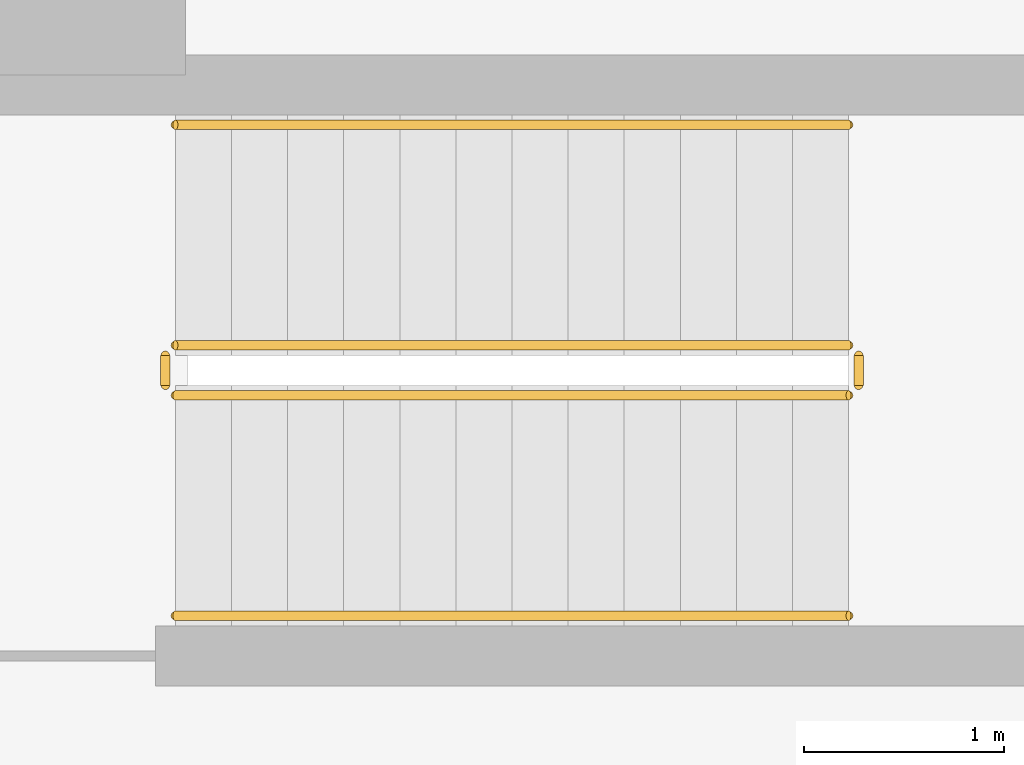
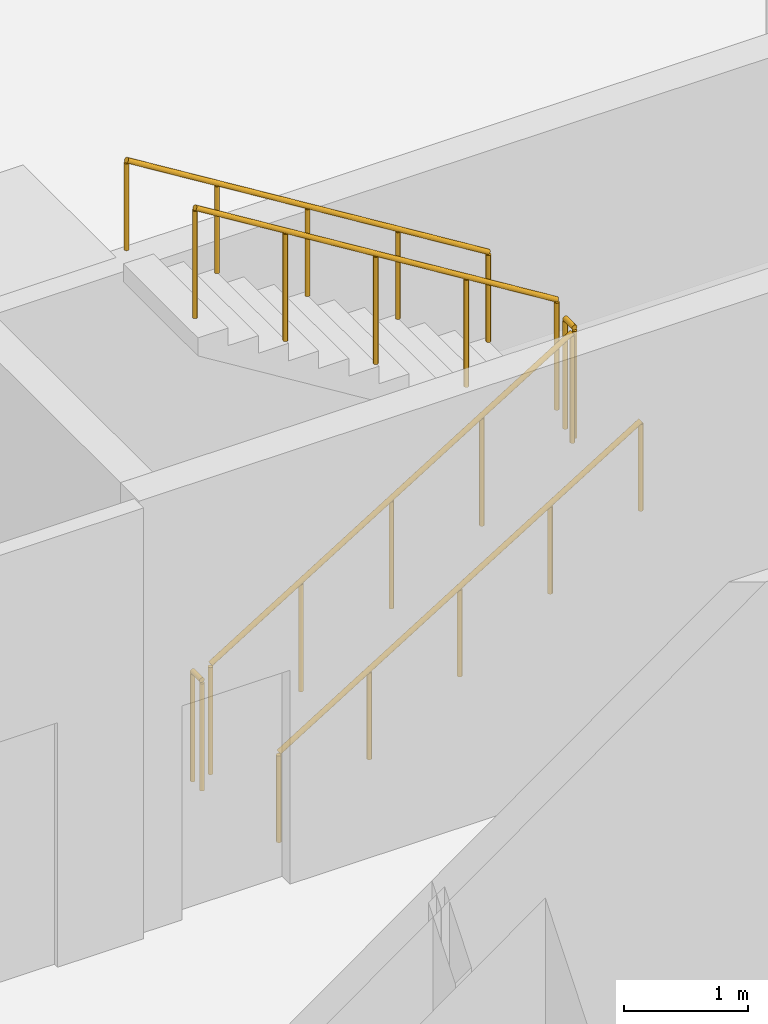
# One storey, part 17 of 18: 6 railings.
"""IFC4 building model written with IfcOpenShell, lengths in metres."""

from ifc_helpers import new_model, si_unit, direction, frame, origin, origin_2d, place, context, subcontext, project, spatial, circle, extrude, material, type_object, element, save


model = new_model("IFC4")

# Units and contexts
model_context = context("Model", 3, precision=1e-05, world=origin(), true_north=direction((0.0, 1.0)))
body_context = subcontext(model_context, "Body", "Model", "MODEL_VIEW")
ifc_project = project(units=[si_unit("LENGTHUNIT", "METRE"), si_unit("AREAUNIT", "SQUARE_METRE"), si_unit("VOLUMEUNIT", "CUBIC_METRE"), si_unit("PLANEANGLEUNIT", "RADIAN"), si_unit("MASSUNIT", "GRAM", prefix="KILO")], contexts=[model_context])

# Site, building, storey
site_placement = place(None, origin())
site = spatial("IfcSite", under=ifc_project, at=site_placement, CompositionType="ELEMENT")
building_placement = place(site_placement, origin())
building = spatial("IfcBuilding", under=site, at=building_placement, Name="Brevane Broadcast Tower", CompositionType="ELEMENT")
storey_placement = place(building_placement, frame((0.0, 0.0, 27.5)))
storey = spatial("IfcBuildingStorey", under=building, at=storey_placement, Name="L04", CompositionType="ELEMENT", Elevation=27.5)

# Railings
ifc_material = material(Name="Steel S355", Category="steel")
railing_type_1 = type_object("IfcRailingType", Name="Exit stair guard", PredefinedType="GUARDRAIL", material=ifc_material)
railing_1_placement = place(storey_placement, frame((42.699951171875, 14.449951171875, 0.173095703125)))
element("IfcRailing", 1, at=railing_1_placement, inside=storey, type_object=railing_type_1, Name="L04 ST-4 stair guard 1", PredefinedType="GUARDRAIL", context=body_context, shape_type="SweptSolid", body=[
    extrude(circle(Radius=0.02392578125, at=origin_2d()), frame((0.0, 0.0, 1.076171875), z_axis=(0.850623216509, 0.0, 0.525775754039), x_axis=(0.0, 1.0, 0.0)), (0.0, 0.0, 1.0), 3.9501953125),
    extrude(circle(Radius=0.02099609375, at=origin_2d()), origin(), (0.0, 0.0, 1.0), 1.052001953125),
    extrude(circle(Radius=0.02099609375, at=origin_2d()), frame((0.840087890625, 0.0, 0.519287109375)), (0.0, 0.0, 1.0), 1.052001953125),
    extrude(circle(Radius=0.02099609375, at=origin_2d()), frame((1.68017578125, 0.0, 1.03857421875)), (0.0, 0.0, 1.0), 1.052001953125),
    extrude(circle(Radius=0.02099609375, at=origin_2d()), frame((2.52001953125, 0.0, 1.5576171875)), (0.0, 0.0, 1.0), 1.052001953125),
    extrude(circle(Radius=0.02099609375, at=origin_2d()), frame((3.360107421875, 0.0, 2.076904296875)), (0.0, 0.0, 1.0), 1.052001953125),
])
railing_2_placement = place(storey_placement, frame((46.110107421875, 14.5, 2.25)))
element("IfcRailing", 2, at=railing_2_placement, inside=storey, type_object=railing_type_1, Name="L04 ST-4 stair guard 2", PredefinedType="GUARDRAIL", context=body_context, shape_type="SweptSolid", body=[
    extrude(circle(Radius=0.02392578125, at=origin_2d()), frame((0.0, 0.0, 1.076171875), z_axis=(0.0, 1.0, 0.0), x_axis=(-1.0, 0.0, 0.0)), (0.0, 0.0, 1.0), 0.14990234375),
    extrude(circle(Radius=0.02099609375, at=origin_2d()), origin(), (0.0, 0.0, 1.0), 1.052001953125),
    extrude(circle(Radius=0.02099609375, at=origin_2d()), frame((0.0, 0.14990234375, 0.0)), (0.0, 0.0, 1.0), 1.052001953125),
])
railing_3_placement = place(storey_placement, frame((46.06005859375, 14.699951171875, 2.423095703125)))
element("IfcRailing", 3, at=railing_3_placement, inside=storey, type_object=railing_type_1, Name="L04 ST-4 stair guard 3", PredefinedType="GUARDRAIL", context=body_context, shape_type="SweptSolid", body=[
    extrude(circle(Radius=0.02392578125, at=origin_2d()), frame((0.0, 0.0, 1.076171875), z_axis=(-0.850623216509, 0.0, 0.525775754039), x_axis=(0.0, -1.0, 0.0)), (0.0, 0.0, 1.0), 3.9501953125),
    extrude(circle(Radius=0.02099609375, at=origin_2d()), origin(), (0.0, 0.0, 1.0), 1.052001953125),
    extrude(circle(Radius=0.02099609375, at=origin_2d()), frame((-0.840087890625, 0.0, 0.519287109375)), (0.0, 0.0, 1.0), 1.052001953125),
    extrude(circle(Radius=0.02099609375, at=origin_2d()), frame((-1.68017578125, 0.0, 1.03857421875)), (0.0, 0.0, 1.0), 1.052001953125),
    extrude(circle(Radius=0.02099609375, at=origin_2d()), frame((-2.52001953125, 0.0, 1.5576171875)), (0.0, 0.0, 1.0), 1.052001953125),
    extrude(circle(Radius=0.02099609375, at=origin_2d()), frame((-3.360107421875, 0.0, 2.076904296875)), (0.0, 0.0, 1.0), 1.052001953125),
])
railing_4_placement = place(storey_placement, frame((42.64990234375, 14.5, 0.0)))
element("IfcRailing", 4, at=railing_4_placement, inside=storey, type_object=railing_type_1, Name="L04 ST-4 stair guard 4", PredefinedType="GUARDRAIL", context=body_context, shape_type="SweptSolid", body=[
    extrude(circle(Radius=0.02392578125, at=origin_2d()), frame((0.0, 0.0, 1.076171875), z_axis=(0.0, 1.0, 0.0), x_axis=(-1.0, 0.0, 0.0)), (0.0, 0.0, 1.0), 0.14990234375),
    extrude(circle(Radius=0.02099609375, at=origin_2d()), origin(), (0.0, 0.0, 1.0), 1.052001953125),
    extrude(circle(Radius=0.02099609375, at=origin_2d()), frame((0.0, 0.14990234375, 0.0)), (0.0, 0.0, 1.0), 1.052001953125),
])
railing_type_2 = type_object("IfcRailingType", Name="Exit stair handrail", PredefinedType="HANDRAIL", material=ifc_material)
railing_5_placement = place(storey_placement, frame((42.699951171875, 13.35009765625, 0.173095703125)))
element("IfcRailing", 5, at=railing_5_placement, inside=storey, type_object=railing_type_2, Name="L04 ST-4 stair handrail 1", PredefinedType="HANDRAIL", context=body_context, shape_type="SweptSolid", body=[
    extrude(circle(Radius=0.02392578125, at=origin_2d()), frame((0.0, 0.0, 0.8759765625), z_axis=(0.850623216509, 0.0, 0.525775754039), x_axis=(0.0, 1.0, 0.0)), (0.0, 0.0, 1.0), 3.9501953125),
    extrude(circle(Radius=0.02099609375, at=origin_2d()), origin(), (0.0, 0.0, 1.0), 0.851806640625),
    extrude(circle(Radius=0.02099609375, at=origin_2d()), frame((0.840087890625, 0.0, 0.519287109375)), (0.0, 0.0, 1.0), 0.851806640625),
    extrude(circle(Radius=0.02099609375, at=origin_2d()), frame((1.68017578125, 0.0, 1.03857421875)), (0.0, 0.0, 1.0), 0.851806640625),
    extrude(circle(Radius=0.02099609375, at=origin_2d()), frame((2.52001953125, 0.0, 1.5576171875)), (0.0, 0.0, 1.0), 0.851806640625),
    extrude(circle(Radius=0.02099609375, at=origin_2d()), frame((3.360107421875, 0.0, 2.076904296875)), (0.0, 0.0, 1.0), 0.851806640625),
])
railing_6_placement = place(storey_placement, frame((46.06005859375, 15.800048828125, 2.423095703125)))
element("IfcRailing", 6, at=railing_6_placement, inside=storey, type_object=railing_type_2, Name="L04 ST-4 stair handrail 2", PredefinedType="HANDRAIL", context=body_context, shape_type="SweptSolid", body=[
    extrude(circle(Radius=0.02392578125, at=origin_2d()), frame((0.0, 0.0, 0.8759765625), z_axis=(-0.850623216509, 0.0, 0.525775754039), x_axis=(0.0, -1.0, 0.0)), (0.0, 0.0, 1.0), 3.9501953125),
    extrude(circle(Radius=0.02099609375, at=origin_2d()), origin(), (0.0, 0.0, 1.0), 0.851806640625),
    extrude(circle(Radius=0.02099609375, at=origin_2d()), frame((-0.840087890625, 0.0, 0.519287109375)), (0.0, 0.0, 1.0), 0.851806640625),
    extrude(circle(Radius=0.02099609375, at=origin_2d()), frame((-1.68017578125, 0.0, 1.03857421875)), (0.0, 0.0, 1.0), 0.851806640625),
    extrude(circle(Radius=0.02099609375, at=origin_2d()), frame((-2.52001953125, 0.0, 1.5576171875)), (0.0, 0.0, 1.0), 0.851806640625),
    extrude(circle(Radius=0.02099609375, at=origin_2d()), frame((-3.360107421875, 0.0, 2.076904296875)), (0.0, 0.0, 1.0), 0.851806640625),
])

save(model, "model.ifc")
